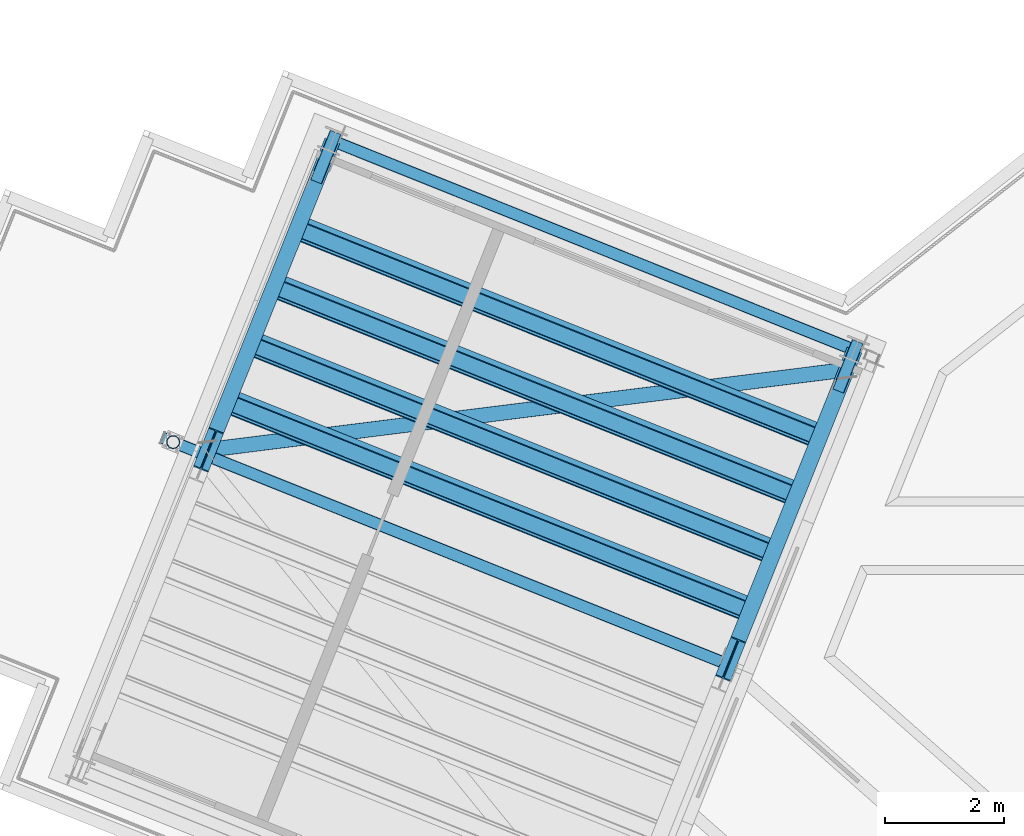
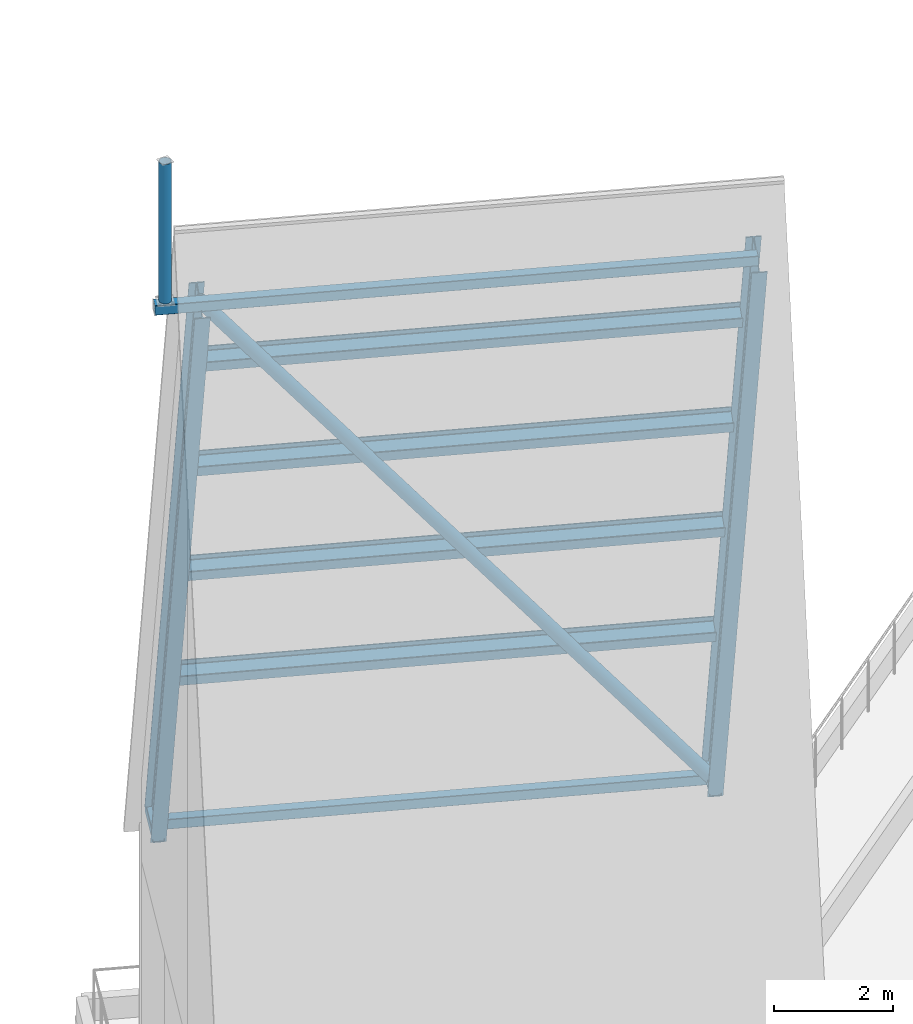
# One storey, part 7 of 32: 8 beams, 4 members.
"""IFC4 building model written with IfcOpenShell, lengths in metres."""

import ifcopenshell
import ifcopenshell.guid

model = None  # the IFC model being written
_history = None  # IfcOwnerHistory: only IFC2X3 demands one
_inside = {}  # id of a spatial element -> (the spatial element, [elements in it])
_under = {}  # id of a project, library or spatial element -> (it, [spatial elements below it])
_declared = {}  # id of a project -> (the project, [libraries it declares])
_typed = {}  # id of a type object -> (the type object, [elements of that type])
_made_of = {}  # id of a material, layer set ... -> (it, [elements and type objects made of it])


def new_model(schema):
    """Start an empty IFC model of exactly this schema.

    Asked for "IFC4X3", IfcOpenShell would pick the latest addendum, in which some entities
    have other attributes; the version numbers below select the first issue.
    IFC2X3 requires an IfcOwnerHistory on every rooted entity: one is made here for all.
    """
    global model, _history
    if schema == "IFC4X3":
        model = ifcopenshell.file(schema_version=(4, 3, 0, 0))
    else:
        model = ifcopenshell.file(schema=schema)
    _inside.clear()
    _under.clear()
    _declared.clear()
    _typed.clear()
    _made_of.clear()
    _history = None
    if model.schema == "IFC2X3":
        org = make("IfcOrganization", Name="unknown")
        user = make(
            "IfcPersonAndOrganization",
            ThePerson=make("IfcPerson", FamilyName="unknown"),
            TheOrganization=org,
        )
        app = make(
            "IfcApplication",
            ApplicationDeveloper=org,
            Version="unknown",
            ApplicationFullName="unknown",
            ApplicationIdentifier="unknown",
        )
        _history = make(
            "IfcOwnerHistory",
            OwningUser=user,
            OwningApplication=app,
            ChangeAction="ADDED",
            CreationDate=0,
        )
    return model


def make(cls, **values):
    """One entity of the class cls with the attributes given. An attribute that is None is left unset."""
    return model.create_entity(
        cls, **{name: value for name, value in values.items() if value is not None}
    )


def rooted(cls, **values):
    """An entity with a GlobalId (a new one), such as an element, a storey or a relation."""
    return make(cls, GlobalId=ifcopenshell.guid.new(), OwnerHistory=_history, **values)


def si_unit(unit_type, name, prefix=None):
    """IfcSIUnit, for example si_unit("LENGTHUNIT", "METRE", prefix="MILLI")."""
    return make("IfcSIUnit", UnitType=unit_type, Prefix=prefix, Name=name)


def assignment(units):
    """IfcUnitAssignment: the units of a project."""
    return None if units is None else make("IfcUnitAssignment", Units=units)


def point(xyz):
    """IfcCartesianPoint."""
    return None if xyz is None else make("IfcCartesianPoint", Coordinates=xyz)


def direction(xyz):
    """IfcDirection."""
    return None if xyz is None else make("IfcDirection", DirectionRatios=xyz)


def frame(location, z_axis=None, x_axis=None):
    """IfcAxis2Placement3D, a coordinate frame: its origin and axes. An axis left out is left unset."""
    return make(
        "IfcAxis2Placement3D",
        Location=point(location),
        Axis=direction(z_axis),
        RefDirection=direction(x_axis),
    )


def frame_2d(location, x_axis=None):
    """IfcAxis2Placement2D, a coordinate frame in the plane: its origin and x axis."""
    return make(
        "IfcAxis2Placement2D", Location=point(location), RefDirection=direction(x_axis)
    )


def origin():
    """The frame at (0, 0, 0) with its axes left unset."""
    return frame((0.0, 0.0, 0.0))


def origin_2d():
    """The frame at (0, 0) in the plane with its x axis left unset."""
    return frame_2d((0.0, 0.0))


def place(relative_to, where):
    """IfcLocalPlacement: puts the frame where relative to a parent placement (None: the world)."""
    return make(
        "IfcLocalPlacement", PlacementRelTo=relative_to, RelativePlacement=where
    )


def context(
    kind, dimensions, precision=None, world=None, true_north=None, identifier=None
):
    """IfcGeometricRepresentationContext, for example the 3D "Model" context."""
    return make(
        "IfcGeometricRepresentationContext",
        ContextIdentifier=identifier,
        ContextType=kind,
        CoordinateSpaceDimension=dimensions,
        Precision=precision,
        WorldCoordinateSystem=world,
        TrueNorth=true_north,
    )


def subcontext(parent, identifier, kind, view, scale=None):
    """IfcGeometricRepresentationSubContext, for example "Body" below "Model"."""
    return make(
        "IfcGeometricRepresentationSubContext",
        ContextIdentifier=identifier,
        ContextType=kind,
        ParentContext=parent,
        TargetScale=scale,
        TargetView=view,
    )


def project(units=None, contexts=None):
    """IfcProject with its units and contexts."""
    return rooted(
        "IfcProject",
        Name="project",
        RepresentationContexts=contexts,
        UnitsInContext=assignment(units),
    )


def spatial(cls, under=None, at=None, **own):
    """A site, building, storey or space (cls), placed at a placement, below another one or the project."""
    s = rooted(cls, ObjectPlacement=at, **own)
    if under is not None:
        _under.setdefault(under.id(), (under, []))[1].append(s)
    return s


def profile(cls, at=None, kind="AREA", **sizes):
    """A parametric profile (cls). Its sizes go by their IFC names, for example OverallWidth=200.0."""
    return make(cls, ProfileType=kind, Position=at, **sizes)


def hollow_rectangle(**sizes):
    """IfcRectangleHollowProfileDef."""
    return profile("IfcRectangleHollowProfileDef", **sizes)


def hollow_circle(**sizes):
    """IfcCircleHollowProfileDef."""
    return profile("IfcCircleHollowProfileDef", **sizes)


def i_section(**sizes):
    """IfcIShapeProfileDef."""
    return profile("IfcIShapeProfileDef", **sizes)


def extrude(swept, where, along, depth):
    """IfcExtrudedAreaSolid: the profile swept, set in the frame where, extruded along a direction by depth."""
    return make(
        "IfcExtrudedAreaSolid",
        SweptArea=swept,
        Position=where,
        ExtrudedDirection=direction(along),
        Depth=depth,
    )


def shape(context_of_items, identifier, shape_type, items):
    """IfcShapeRepresentation: the items that make up one representation, for example the "Body"."""
    return make(
        "IfcShapeRepresentation",
        ContextOfItems=context_of_items,
        RepresentationIdentifier=identifier,
        RepresentationType=shape_type,
        Items=items,
    )


def material(Name=None, Category=None):
    """IfcMaterial."""
    return make("IfcMaterial", Name=Name, Category=Category)


def material_profile(
    of_material, cross_section, Name=None, Category=None, Priority=None
):
    """IfcMaterialProfile: a cross section and its material."""
    return make(
        "IfcMaterialProfile",
        Name=Name,
        Material=of_material,
        Profile=cross_section,
        Priority=Priority,
        Category=Category,
    )


def profile_set(profiles, Name=None, composite=None):
    """IfcMaterialProfileSet."""
    return make(
        "IfcMaterialProfileSet",
        Name=Name,
        MaterialProfiles=profiles,
        CompositeProfile=composite,
    )


def made_of(thing, what):
    """Note that an element or type object is made of a material, layer set ...; save() writes the relation."""
    if what is not None:
        _made_of.setdefault(what.id(), (what, []))[1].append(thing)
    return thing


def type_object(cls, material=None, **own):
    """A type object (cls), such as IfcWallType, which elements share."""
    return made_of(rooted(cls, **own), material)


def element(
    cls,
    number,
    at=None,
    inside=None,
    cuts=None,
    type_object=None,
    material=None,
    context=None,
    identifier="Body",
    shape_type=None,
    held_by="IfcProductDefinitionShape",
    body=None,
    shapes=None,
    **own,
):
    """One element of the class cls, such as IfcWall. Its Tag is "e" and its number.

    at: its placement. inside: the storey or other place that contains it. cuts: it is an
    opening in that element (IfcRelVoidsElement). A single representation is given by context,
    identifier, shape_type and body (its items); several are given by shapes. held_by: the class
    of the entity that holds the representations. save() writes the other relations.
    """
    e = rooted(cls, Tag="e%d" % number, ObjectPlacement=at, **own)
    if body is not None:
        shapes = [shape(context, identifier, shape_type, body)]
    if shapes is not None:
        e.Representation = make(held_by, Representations=shapes)
    if inside is not None:
        _inside.setdefault(inside.id(), (inside, []))[1].append(e)
    if cuts is not None:
        rooted(
            "IfcRelVoidsElement", RelatingBuildingElement=cuts, RelatedOpeningElement=e
        )
    if type_object is not None:
        _typed.setdefault(type_object.id(), (type_object, []))[1].append(e)
    return made_of(e, material)


def aggregate(whole, parts):
    """IfcRelAggregates: a whole, such as a stair, and the parts it consists of."""
    return rooted("IfcRelAggregates", RelatingObject=whole, RelatedObjects=parts)


def save(model, path):
    """Write the relations noted so far, then the file.

    IfcRelAggregates (storeys below a building ...), IfcRelContainedInSpatialStructure (elements
    in a storey), IfcRelDefinesByType, IfcRelAssociatesMaterial and IfcRelDeclares: one each for
    every whole, place, type object, material and project.
    """
    for whole, parts in _under.values():
        aggregate(whole, parts)
    for where, things in _inside.values():
        rooted(
            "IfcRelContainedInSpatialStructure",
            RelatedElements=things,
            RelatingStructure=where,
        )
    for kind, things in _typed.values():
        rooted("IfcRelDefinesByType", RelatedObjects=things, RelatingType=kind)
    for what, things in _made_of.values():
        rooted("IfcRelAssociatesMaterial", RelatedObjects=things, RelatingMaterial=what)
    for by, libraries in _declared.values():
        rooted("IfcRelDeclares", RelatingContext=by, RelatedDefinitions=libraries)
    model.write(path)


model = new_model("IFC4")

# Units and contexts
model_context = context("Model", 3, precision=1e-05, world=origin(), true_north=direction((0.0, 1.0)))
body_context = subcontext(model_context, "Body", "Model", "MODEL_VIEW")
ifc_project = project(units=[si_unit("LENGTHUNIT", "METRE"), si_unit("AREAUNIT", "SQUARE_METRE"), si_unit("VOLUMEUNIT", "CUBIC_METRE"), si_unit("PLANEANGLEUNIT", "RADIAN"), si_unit("MASSUNIT", "GRAM", prefix="KILO")], contexts=[model_context])

# Site, building, storey
site_placement = place(None, origin())
site = spatial("IfcSite", under=ifc_project, at=site_placement, CompositionType="ELEMENT")
building_placement = place(site_placement, origin())
building = spatial("IfcBuilding", under=site, at=building_placement, Name="Verdalira Terraces Hotel", CompositionType="ELEMENT")
storey_placement = place(building_placement, frame((0.0, 0.0, 315.0)))
storey = spatial("IfcBuildingStorey", under=building, at=storey_placement, Name="L78", CompositionType="ELEMENT", Elevation=315.0)

# Beam
ifc_material_1 = material(Name="Steel ASTM A500 Grade C", Category="steel")
ifc_material_profile_1 = material_profile(ifc_material_1, hollow_rectangle(XDim=0.203125, YDim=0.203125, WallThickness=0.0087890625, InnerFilletRadius=0.00439453125, OuterFilletRadius=0.01318359375, at=origin_2d()), Name="HSS8X8X3/8")
ifc_profile_set_1 = profile_set([ifc_material_profile_1], Name="Steel ASTM A500 Grade C")
beam_type_1 = type_object("IfcBeamType", Name="Gable eave beam HSS8X8X3/8", PredefinedType="BEAM", material=ifc_profile_set_1)
beam_1_placement = place(storey_placement, frame((-19.914795, 14.122314, 4.398438), z_axis=(-0.928227324, 0.372013486, 0.0), x_axis=(-0.372013486, -0.928227324, 0.0)))
element("IfcBeam", 1, at=beam_1_placement, inside=storey, type_object=beam_type_1, Name="Gable eave beam G1-1b", PredefinedType="BEAM", context=body_context, shape_type="SweptSolid", body=[
    extrude(hollow_rectangle(XDim=0.203125, YDim=0.203125, WallThickness=0.0087890625, InnerFilletRadius=0.00439453125, OuterFilletRadius=0.01318359375, at=origin_2d()), origin(), (0.0, 0.0, 1.0), 9.460693),
])

# Member
ifc_material_2 = material(Name="Steel ASTM A500 Grade C", Category="steel")
ifc_material_profile_2 = material_profile(ifc_material_2, hollow_circle(Radius=0.126953125, WallThickness=0.0087890625, at=origin_2d()), Name="HSS10.000X0.375")
ifc_profile_set_2 = profile_set([ifc_material_profile_2], Name="Steel ASTM A500 Grade C")
member_type_1 = type_object("IfcMemberType", Name="Gable frame brace HSS10.000X0.375", PredefinedType="BRACE", material=ifc_profile_set_2)
member_1_placement = place(storey_placement, frame((-20.047119, 13.792236, 4.614502), z_axis=(-0.596290627, -0.074836447, 0.799272791), x_axis=(0.124526429, -0.992216291, 0.0)))
element("IfcMember", 2, at=member_1_placement, inside=storey, type_object=member_type_1, Name="Gable frame brace G1-1b", PredefinedType="BRACE", context=body_context, shape_type="SweptSolid", body=[
    extrude(hollow_circle(Radius=0.126953125, WallThickness=0.0087890625, at=origin_2d()), origin(), (0.0, 0.0, 1.0), 17.998291),
])

# Beams
ifc_material_3 = material(Name="Steel ASTM A992 Grade 50", Category="steel")
ifc_material_profile_3 = material_profile(ifc_material_3, i_section(OverallWidth=0.266602, OverallDepth=0.756836, WebThickness=0.013916, FlangeThickness=0.019287, FilletRadius=0.016602, at=origin_2d()), Name="W30X108")
ifc_profile_set_3 = profile_set([ifc_material_profile_3], Name="Steel ASTM A992 Grade 50")
beam_type_2 = type_object("IfcBeamType", Name="Gable frame rafter W30X108", PredefinedType="BEAM", material=ifc_profile_set_3)
for number, where, z_axis, x_axis, name in (
    (3, (-20.047119, 13.792236, 4.614502), (-0.127387456, -0.317838798, 0.939548261), (0.928222764, -0.372024866, 0.0), "Gable frame rafter G1-1b"),
    (4, (-28.828857, 17.311768, 4.614502), (-0.127387456, -0.317838798, 0.939548261), (0.928222764, -0.372024866, 0.0), "Gable frame rafter G1-2b"),
):
    element("IfcBeam", number, at=place(storey_placement, frame(where, z_axis=z_axis, x_axis=x_axis)), inside=storey, type_object=beam_type_2, Name=name, PredefinedType="BEAM", context=body_context, shape_type="SweptSolid", body=[
        extrude(i_section(OverallWidth=0.266602, OverallDepth=0.756836, WebThickness=0.013916, FlangeThickness=0.019287, FilletRadius=0.016602, at=origin_2d()), origin(), (0.0, 0.0, 1.0), 15.311035),
    ])

# Members
ifc_material_4 = material(Name="Steel ASTM A500 Grade C", Category="steel")
ifc_material_profile_4 = material_profile(ifc_material_4, hollow_rectangle(XDim=0.203125, YDim=0.203125, WallThickness=0.0087890625, InnerFilletRadius=0.00439453125, OuterFilletRadius=0.01318359375, at=origin_2d()), Name="HSS8X8X3/8")
ifc_profile_set_4 = profile_set([ifc_material_profile_4], Name="Steel ASTM A500 Grade C")
member_type_2 = type_object("IfcMemberType", Name="Gable heel seat member HSS8X8X3/8", PredefinedType="STRUT", material=ifc_profile_set_4)
for number, where, z_axis, x_axis, name in (
    (5, (-20.190674, 13.434326, 4.601562), (0.37205189, 0.928211932, 0.0), (-0.928211932, 0.37205189, 0.0), "Gable heel seat member G11b"),
    (6, (-28.972412, 16.953857, 4.601562), (0.37205189, 0.928211932, 0.0), (-0.928211932, 0.37205189, 0.0), "Gable heel seat member G12b"),
):
    element("IfcMember", number, at=place(storey_placement, frame(where, z_axis=z_axis, x_axis=x_axis)), inside=storey, type_object=member_type_2, Name=name, PredefinedType="STRUT", context=body_context, shape_type="SweptSolid", body=[
        extrude(hollow_rectangle(XDim=0.203125, YDim=0.203125, WallThickness=0.0087890625, InnerFilletRadius=0.00439453125, OuterFilletRadius=0.01318359375, at=origin_2d()), origin(), (0.0, 0.0, 1.0), 0.891113),
    ])
ifc_material_5 = material(Name="Steel ASTM A500 Grade C", Category="steel")
ifc_material_profile_5 = material_profile(ifc_material_5, hollow_circle(Radius=0.109619140625, WallThickness=0.007568359375, at=origin_2d()), Name="HSS8.625X0.322")
ifc_profile_set_5 = profile_set([ifc_material_profile_5], Name="Steel ASTM A500 Grade C")
member_type_3 = type_object("IfcMemberType", Name="Gable mast HSS8.625X0.322", PredefinedType="POST", material=ifc_profile_set_5)
member_2_placement = place(storey_placement, frame((-31.374023, 12.574219, 19.126709), z_axis=(0.0, 0.0, 1.0), x_axis=(1.0, 0.0, 0.0)))
element("IfcMember", 7, at=member_2_placement, inside=storey, type_object=member_type_3, Name="Gable mast", PredefinedType="POST", context=body_context, shape_type="SweptSolid", body=[
    extrude(hollow_circle(Radius=0.109619140625, WallThickness=0.007568359375, at=origin_2d()), origin(), (0.0, 0.0, 1.0), 2.861328),
])

# Beams
ifc_material_6 = material(Name="Steel ASTM A992 Grade 50", Category="steel")
ifc_material_profile_6 = material_profile(ifc_material_6, i_section(OverallWidth=0.253906, OverallDepth=0.353027, WebThickness=0.009521, FlangeThickness=0.016357, FilletRadius=0.015137, at=origin_2d()), Name="W14X61")
ifc_profile_set_6 = profile_set([ifc_material_profile_6], Name="Steel ASTM A992 Grade 50")
beam_type_3 = type_object("IfcBeamType", Name="Gable purlin W14X61", PredefinedType="BEAM", material=ifc_profile_set_6)
beam_2_placement = place(storey_placement, frame((-20.622803, 12.7146, 8.536621), z_axis=(-0.928223755, 0.372022394, 0.0), x_axis=(-0.127388626, -0.317844169, 0.939546285)))
element("IfcBeam", 8, at=beam_2_placement, inside=storey, type_object=beam_type_3, Name="Gable purlin G1-1b1", PredefinedType="BEAM", context=body_context, shape_type="SweptSolid", body=[
    extrude(i_section(OverallWidth=0.253906, OverallDepth=0.353027, WebThickness=0.009521, FlangeThickness=0.016357, FilletRadius=0.015137, at=origin_2d()), origin(), (0.0, 0.0, 1.0), 9.194092),
])
beam_3_placement = place(storey_placement, frame((-21.012695, 11.741211, 11.413574), z_axis=(-0.928227429, 0.372013224, 0.0), x_axis=(-0.127385486, -0.317845428, 0.939546285)))
element("IfcBeam", 9, at=beam_3_placement, inside=storey, type_object=beam_type_3, Name="Gable purlin G1-1b2", PredefinedType="BEAM", context=body_context, shape_type="SweptSolid", body=[
    extrude(i_section(OverallWidth=0.253906, OverallDepth=0.353027, WebThickness=0.009521, FlangeThickness=0.016357, FilletRadius=0.015137, at=origin_2d()), origin(), (0.0, 0.0, 1.0), 9.194336),
])
for number, where, z_axis, x_axis, name in (
    (10, (-21.402832, 10.767822, 14.290527), (-0.928223755, 0.372022394, 0.0), (-0.127388626, -0.317844169, 0.939546285), "Gable purlin G1-1b3"),
    (11, (-21.792969, 9.794678, 17.167725), (-0.928223755, 0.372022394, 0.0), (-0.127388626, -0.317844169, 0.939546285), "Gable purlin G1-1b4"),
):
    element("IfcBeam", number, at=place(storey_placement, frame(where, z_axis=z_axis, x_axis=x_axis)), inside=storey, type_object=beam_type_3, Name=name, PredefinedType="BEAM", context=body_context, shape_type="SweptSolid", body=[
        extrude(i_section(OverallWidth=0.253906, OverallDepth=0.353027, WebThickness=0.009521, FlangeThickness=0.016357, FilletRadius=0.015137, at=origin_2d()), origin(), (0.0, 0.0, 1.0), 9.194092),
    ])
ifc_material_7 = material(Name="Steel ASTM A500 Grade C", Category="steel")
ifc_material_profile_7 = material_profile(ifc_material_7, hollow_rectangle(XDim=0.203125, YDim=0.203125, WallThickness=0.0087890625, InnerFilletRadius=0.00439453125, OuterFilletRadius=0.01318359375, at=origin_2d()), Name="HSS8X8X3/8")
ifc_profile_set_7 = profile_set([ifc_material_profile_7], Name="Steel ASTM A500 Grade C")
beam_type_4 = type_object("IfcBeamType", Name="Gable ridge beam HSS8X8X3/8", PredefinedType="BEAM", material=ifc_profile_set_7)
beam_4_placement = place(storey_placement, frame((-22.0354, 8.831299, 19.0), z_axis=(-0.928225121, 0.372018984, 0.0), x_axis=(-0.372018984, -0.928225121, 0.0)))
element("IfcBeam", 12, at=beam_4_placement, inside=storey, type_object=beam_type_4, Name="Gable ridge beam G1-1", PredefinedType="BEAM", context=body_context, shape_type="SweptSolid", body=[
    extrude(hollow_rectangle(XDim=0.203125, YDim=0.203125, WallThickness=0.0087890625, InnerFilletRadius=0.00439453125, OuterFilletRadius=0.01318359375, at=origin_2d()), origin(), (0.0, 0.0, 1.0), 10.248779),
])

save(model, "model.ifc")
